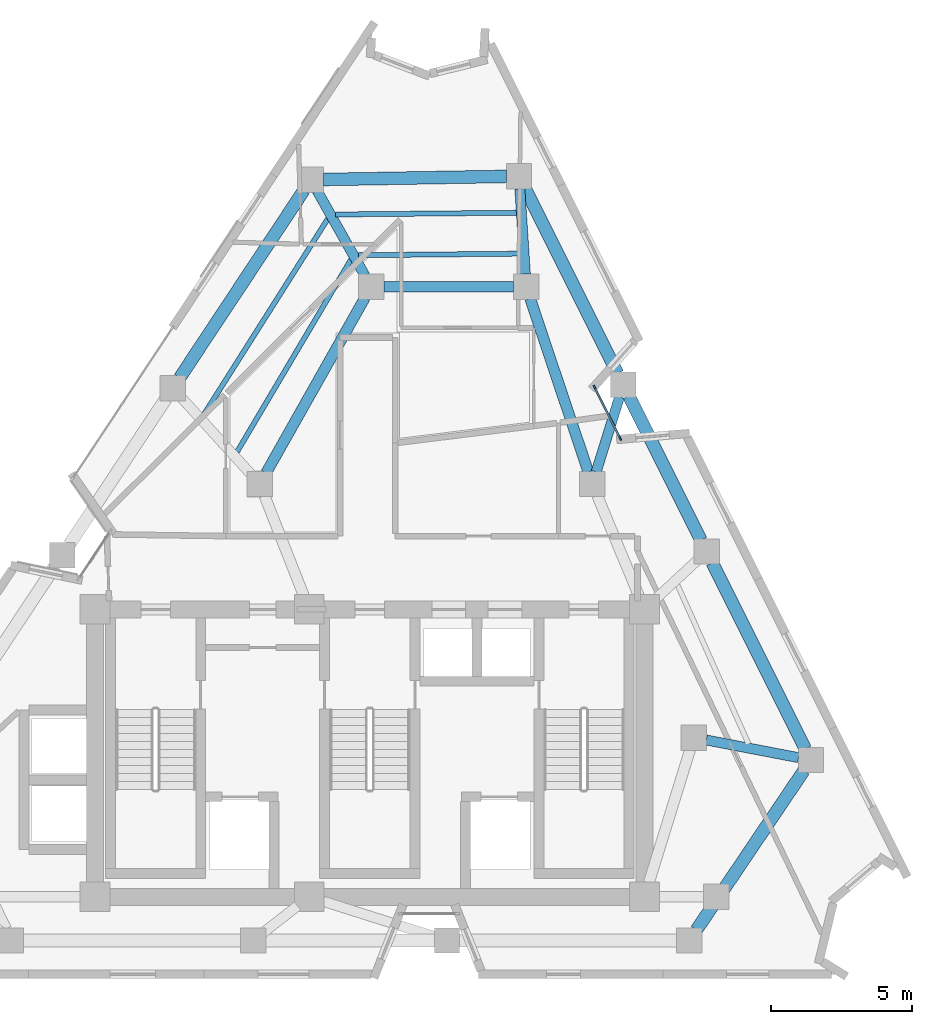
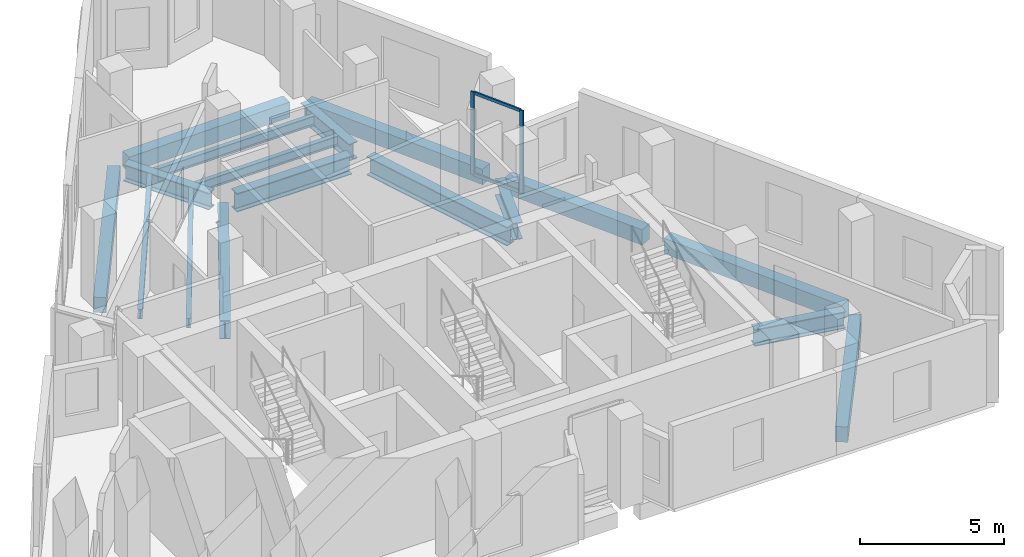
# One storey, part 3 of 8: 17 beams, 4 members, 1 element without a shape of its own.
"""IFC4 building model written with IfcOpenShell, lengths in metres."""

from ifc_helpers import new_model, si_unit, direction, frame, origin, origin_2d, place, context, subcontext, project, spatial, rectangle, i_section, extrude, material, layer, layer_set, material_profile, profile_set, type_object, element, aggregate, save


model = new_model("IFC4")

# Units and contexts
model_context = context("Model", 3, precision=1e-05, world=origin(), true_north=direction((0.0, 1.0)))
body_context = subcontext(model_context, "Body", "Model", "MODEL_VIEW")
ifc_project = project(units=[si_unit("LENGTHUNIT", "METRE"), si_unit("AREAUNIT", "SQUARE_METRE"), si_unit("VOLUMEUNIT", "CUBIC_METRE"), si_unit("PLANEANGLEUNIT", "RADIAN"), si_unit("MASSUNIT", "GRAM", prefix="KILO")], contexts=[model_context])

# Site, building, storey
site_placement = place(None, origin())
site = spatial("IfcSite", under=ifc_project, at=site_placement, CompositionType="ELEMENT")
building_placement = place(site_placement, origin())
building = spatial("IfcBuilding", under=site, at=building_placement, Name="Almagre Mirador Tower", CompositionType="ELEMENT")
storey_placement = place(building_placement, frame((0.0, 0.0, 263.25)))
storey = spatial("IfcBuildingStorey", under=building, at=storey_placement, Name="L68", CompositionType="ELEMENT", Elevation=263.25)

# Beams
ifc_material_1 = material(Name="Steel ASTM A992 Grade 50", Category="steel")
ifc_material_profile_1 = material_profile(ifc_material_1, i_section(OverallWidth=0.178955078125, OverallDepth=0.408935546875, WebThickness=0.0087890625, FlangeThickness=0.014404296875, FilletRadius=0.013916015625, at=origin_2d()), Name="W16X45")
ifc_profile_set_1 = profile_set([ifc_material_profile_1], Name="Steel ASTM A992 Grade 50")
beam_type_1 = type_object("IfcBeamType", Name="BM-JST-W16X45", PredefinedType="JOIST", material=ifc_profile_set_1)
beam_1_placement = place(storey_placement, frame((42.501708984375, 28.8251953125, -0.45458984375), z_axis=(-0.999953288653, -0.009665428698, 0.0), x_axis=(0.009665428698, -0.999953288653, 0.0)))
element("IfcBeam", 1, at=beam_1_placement, inside=storey, type_object=beam_type_1, Name="L68 secondary floor joist PC08-PC09.1", PredefinedType="JOIST", context=body_context, shape_type="SweptSolid", body=[
    extrude(i_section(OverallWidth=0.178955078125, OverallDepth=0.408935546875, WebThickness=0.0087890625, FlangeThickness=0.014404296875, FilletRadius=0.013916015625, at=origin_2d()), origin(), (0.0, 0.0, 1.0), 6.415771484375),
])
beam_2_placement = place(storey_placement, frame((42.59521484375, 27.373291015625, -0.45458984375), z_axis=(-0.99995095938, -0.009903475888, 0.0), x_axis=(0.009903475888, -0.99995095938, 0.0)))
element("IfcBeam", 2, at=beam_2_placement, inside=storey, type_object=beam_type_1, Name="L68 secondary floor joist PC08-PC09.3", PredefinedType="JOIST", context=body_context, shape_type="SweptSolid", body=[
    extrude(i_section(OverallWidth=0.178955078125, OverallDepth=0.408935546875, WebThickness=0.0087890625, FlangeThickness=0.014404296875, FilletRadius=0.013916015625, at=origin_2d()), origin(), (0.0, 0.0, 1.0), 5.694580078125),
])
beam_3_placement = place(storey_placement, frame((35.811279296875, 28.610107421875, -0.45458984375), z_axis=(-0.534950539194, -0.844883376932, 0.0), x_axis=(0.844883376932, -0.534950539194, 0.0)))
element("IfcBeam", 3, at=beam_3_placement, inside=storey, type_object=beam_type_1, Name="L68 secondary floor joist PC09-PC10.1", PredefinedType="JOIST", context=body_context, shape_type="SweptSolid", body=[
    extrude(i_section(OverallWidth=0.178955078125, OverallDepth=0.408935546875, WebThickness=0.0087890625, FlangeThickness=0.014404296875, FilletRadius=0.013916015625, at=origin_2d()), origin(), (0.0, 0.0, 1.0), 8.2373046875),
])
beam_4_placement = place(storey_placement, frame((36.630615234375, 27.1611328125, -0.45458984375), z_axis=(-0.509571838607, -0.860428115126, 0.0), x_axis=(0.860428115126, -0.509571838607, 0.0)))
element("IfcBeam", 4, at=beam_4_placement, inside=storey, type_object=beam_type_1, Name="L68 secondary floor joist PC09-PC10.3", PredefinedType="JOIST", context=body_context, shape_type="SweptSolid", body=[
    extrude(i_section(OverallWidth=0.178955078125, OverallDepth=0.408935546875, WebThickness=0.0087890625, FlangeThickness=0.014404296875, FilletRadius=0.013916015625, at=origin_2d()), origin(), (0.0, 0.0, 1.0), 7.925048828125),
])
ifc_material_2 = material(Name="Precast concrete C50/60", Category="concrete")
ifc_material_profile_2 = material_profile(ifc_material_2, rectangle(XDim=0.449951171875, YDim=0.64990234375, at=origin_2d()), Name="RC450X650")
ifc_profile_set_2 = profile_set([ifc_material_profile_2], Name="Precast concrete C50/60")
beam_type_2 = type_object("IfcBeamType", Name="BM-SPN-RC450X650", PredefinedType="SPANDREL", material=ifc_profile_set_2)
beam_5_placement = place(storey_placement, frame((48.8916015625, 3.373046875, -0.574951171875), z_axis=(0.559011807763, 0.829159694378, 0.0), x_axis=(-0.829159694378, 0.559011807763, 0.0)))
element("IfcBeam", 5, at=beam_5_placement, inside=storey, type_object=beam_type_2, Name="L68 perimeter spandrel beam PC04-PC05", PredefinedType="SPANDREL", context=body_context, shape_type="SweptSolid", body=[
    extrude(rectangle(XDim=0.449951171875, YDim=0.64990234375, at=origin_2d()), origin(), (0.0, 0.0, 1.0), 6.822265625),
])
beam_6_placement = place(storey_placement, frame((52.755859375, 9.805419921875, -0.574951171875), z_axis=(-0.447226839749, 0.894420568753, 0.0), x_axis=(-0.894420568753, -0.447226839749, 0.0)))
element("IfcBeam", 6, at=beam_6_placement, inside=storey, type_object=beam_type_2, Name="L68 perimeter spandrel beam PC05-PC06", PredefinedType="SPANDREL", context=body_context, shape_type="SweptSolid", body=[
    extrude(rectangle(XDim=0.449951171875, YDim=0.64990234375, at=origin_2d()), origin(), (0.0, 0.0, 1.0), 7.37353515625),
])
beam_7_placement = place(storey_placement, frame((49.055908203125, 17.20556640625, -0.574951171875), z_axis=(-0.447230671809, 0.894418652642, 0.0), x_axis=(-0.894418652642, -0.447230671809, 0.0)))
element("IfcBeam", 7, at=beam_7_placement, inside=storey, type_object=beam_type_2, Name="L68 perimeter spandrel beam PC06-PC07", PredefinedType="SPANDREL", context=body_context, shape_type="SweptSolid", body=[
    extrude(rectangle(XDim=0.449951171875, YDim=0.64990234375, at=origin_2d()), origin(), (0.0, 0.0, 1.0), 5.71875),
])
beam_8_placement = place(storey_placement, frame((46.095703125, 23.12548828125, -0.574951171875), z_axis=(-0.447226839749, 0.894420568753, 0.0), x_axis=(-0.894420568753, -0.447226839749, 0.0)))
element("IfcBeam", 8, at=beam_8_placement, inside=storey, type_object=beam_type_2, Name="L68 perimeter spandrel beam PC07-PC08", PredefinedType="SPANDREL", context=body_context, shape_type="SweptSolid", body=[
    extrude(rectangle(XDim=0.449951171875, YDim=0.64990234375, at=origin_2d()), origin(), (0.0, 0.0, 1.0), 7.37353515625),
])
beam_9_placement = place(storey_placement, frame((42.147216796875, 30.115234375, -0.574951171875), z_axis=(-0.999854670426, -0.017048109218, 0.0), x_axis=(0.017048109218, -0.999854670426, 0.0)))
element("IfcBeam", 9, at=beam_9_placement, inside=storey, type_object=beam_type_2, Name="L68 perimeter spandrel beam PC08-PC09", PredefinedType="SPANDREL", context=body_context, shape_type="SweptSolid", body=[
    extrude(rectangle(XDim=0.449951171875, YDim=0.64990234375, at=origin_2d()), origin(), (0.0, 0.0, 1.0), 6.4873046875),
])
beam_10_placement = place(storey_placement, frame((34.962646484375, 29.621826171875, -0.574951171875), z_axis=(-0.55211200974, -0.833769949507, 0.0), x_axis=(0.833769949507, -0.55211200974, 0.0)))
element("IfcBeam", 10, at=beam_10_placement, inside=storey, type_object=beam_type_2, Name="L68 perimeter spandrel beam PC09-PC10", PredefinedType="SPANDREL", context=body_context, shape_type="SweptSolid", body=[
    extrude(rectangle(XDim=0.449951171875, YDim=0.64990234375, at=origin_2d()), origin(), (0.0, 0.0, 1.0), 7.975341796875),
])
ifc_material_3 = material(Name="Steel ASTM A992 Grade 50", Category="steel")
ifc_material_profile_3 = material_profile(ifc_material_3, i_section(OverallWidth=0.35791015625, OverallDepth=0.7060546875, WebThickness=0.018310546875, FlangeThickness=0.0302734375, FilletRadius=0.02197265625, at=origin_2d()), Name="W27X178")
ifc_profile_set_3 = profile_set([ifc_material_profile_3], Name="Steel ASTM A992 Grade 50")
beam_type_3 = type_object("IfcBeamType", Name="BM-STL-W27X178", PredefinedType="BEAM", material=ifc_profile_set_3)
beam_11_placement = place(storey_placement, frame((52.514892578125, 9.48779296875, -0.60302734375), z_axis=(-0.982116013596, 0.188276753315, 0.0), x_axis=(-0.188276753315, -0.982116013596, 0.0)))
element("IfcBeam", 11, at=beam_11_placement, inside=storey, type_object=beam_type_3, Name="L68 radial floor girder PC05-MC3", PredefinedType="BEAM", context=body_context, shape_type="SweptSolid", body=[
    extrude(i_section(OverallWidth=0.35791015625, OverallDepth=0.7060546875, WebThickness=0.018310546875, FlangeThickness=0.0302734375, FilletRadius=0.02197265625, at=origin_2d()), origin(), (0.0, 0.0, 1.0), 3.33251953125),
])
beam_12_placement = place(storey_placement, frame((46.1630859375, 22.293212890625, -0.60302734375), z_axis=(-0.297288188683, -0.95478779468, 0.0), x_axis=(0.95478779468, -0.297288188683, 0.0)))
element("IfcBeam", 12, at=beam_12_placement, inside=storey, type_object=beam_type_3, Name="L68 radial floor girder PC07-MC5", PredefinedType="BEAM", context=body_context, shape_type="SweptSolid", body=[
    extrude(i_section(OverallWidth=0.35791015625, OverallDepth=0.7060546875, WebThickness=0.018310546875, FlangeThickness=0.0302734375, FilletRadius=0.02197265625, at=origin_2d()), origin(), (0.0, 0.0, 1.0), 2.789794921875),
])
beam_13_placement = place(storey_placement, frame((42.6259765625, 29.673828125, -0.60302734375), z_axis=(0.064358989598, -0.997926811173, 0.0), x_axis=(0.997926811173, 0.064358989598, 0.0)))
element("IfcBeam", 13, at=beam_13_placement, inside=storey, type_object=beam_type_3, Name="L68 radial floor girder PC08-MC6", PredefinedType="BEAM", context=body_context, shape_type="SweptSolid", body=[
    extrude(i_section(OverallWidth=0.35791015625, OverallDepth=0.7060546875, WebThickness=0.018310546875, FlangeThickness=0.0302734375, FilletRadius=0.02197265625, at=origin_2d()), origin(), (0.0, 0.0, 1.0), 3.031005859375),
])
beam_14_placement = place(storey_placement, frame((35.431884765625, 29.60498046875, -0.60302734375), z_axis=(0.490807503583, -0.871268038222, 0.0), x_axis=(0.871268038222, 0.490807503583, 0.0)))
element("IfcBeam", 14, at=beam_14_placement, inside=storey, type_object=beam_type_3, Name="L68 radial floor girder PC09-MC7", PredefinedType="BEAM", context=body_context, shape_type="SweptSolid", body=[
    extrude(i_section(OverallWidth=0.35791015625, OverallDepth=0.7060546875, WebThickness=0.018310546875, FlangeThickness=0.0302734375, FilletRadius=0.02197265625, at=origin_2d()), origin(), (0.0, 0.0, 1.0), 3.4580078125),
])
ifc_material_4 = material(Name="Steel ASTM A992 Grade 50", Category="steel")
ifc_material_profile_4 = material_profile(ifc_material_4, i_section(OverallWidth=0.384033203125, OverallDepth=0.784912109375, WebThickness=0.019775390625, FlangeThickness=0.033447265625, FilletRadius=0.02392578125, at=origin_2d()), Name="W30X211")
ifc_profile_set_4 = profile_set([ifc_material_profile_4], Name="Steel ASTM A992 Grade 50")
beam_type_4 = type_object("IfcBeamType", Name="BM-STL-W30X211", PredefinedType="BEAM", material=ifc_profile_set_4)
beam_15_placement = place(storey_placement, frame((37.800048828125, 26.199951171875, -0.642578125), z_axis=(1.0, 0.0, 0.0), x_axis=(0.0, 1.0, 0.0)))
element("IfcBeam", 15, at=beam_15_placement, inside=storey, type_object=beam_type_4, Name="L68 core tie girder MC7-MC6", PredefinedType="BEAM", context=body_context, shape_type="SweptSolid", body=[
    extrude(i_section(OverallWidth=0.384033203125, OverallDepth=0.784912109375, WebThickness=0.019775390625, FlangeThickness=0.033447265625, FilletRadius=0.02392578125, at=origin_2d()), origin(), (0.0, 0.0, 1.0), 4.599853515625),
])
beam_16_placement = place(storey_placement, frame((42.9931640625, 25.7734375, -0.642578125), z_axis=(0.318282890726, -0.947995781357, 0.0), x_axis=(0.947995781357, 0.318282890726, 0.0)))
element("IfcBeam", 16, at=beam_16_placement, inside=storey, type_object=beam_type_4, Name="L68 core tie girder MC6-MC5", PredefinedType="BEAM", context=body_context, shape_type="SweptSolid", body=[
    extrude(i_section(OverallWidth=0.384033203125, OverallDepth=0.784912109375, WebThickness=0.019775390625, FlangeThickness=0.033447265625, FilletRadius=0.02392578125, at=origin_2d()), origin(), (0.0, 0.0, 1.0), 6.48388671875),
])
beam_17_placement = place(storey_placement, frame((37.12890625, 25.80810546875, -0.642578125), z_axis=(-0.491446261843, -0.870907900825, 0.0), x_axis=(0.870907900825, -0.491446261843, 0.0)))
element("IfcBeam", 17, at=beam_17_placement, inside=storey, type_object=beam_type_4, Name="L68 core tie girder MC7-MC8", PredefinedType="BEAM", context=body_context, shape_type="SweptSolid", body=[
    extrude(i_section(OverallWidth=0.384033203125, OverallDepth=0.784912109375, WebThickness=0.019775390625, FlangeThickness=0.033447265625, FilletRadius=0.02392578125, at=origin_2d()), origin(), (0.0, 0.0, 1.0), 7.1376953125),
])

# Curtain wall, members
ifc_material_5 = material(Name="Black anodized aluminium", Category="aluminium")
ifc_layer = layer(ifc_material_5, 0.169921875)
ifc_layer_set = layer_set([ifc_layer], Name="Black anodized aluminium")
curtain_wall_type = type_object("IfcCurtainWallType", Name="CW-CRS-SYS", PredefinedType="NOTDEFINED", material=ifc_layer_set)
curtain_wall_placement = place(storey_placement, origin())
curtain_wall = element("IfcCurtainWall", 18, at=curtain_wall_placement, inside=storey, type_object=curtain_wall_type, Name="L68 vertical crease curtain wall 03", PredefinedType="NOTDEFINED")
ifc_material_6 = material(Name="Black anodized aluminium", Category="aluminium")
ifc_material_profile_5 = material_profile(ifc_material_6, rectangle(XDim=0.06005859375, YDim=0.14990234375, at=origin_2d()), Name="CWM60X150")
ifc_profile_set_5 = profile_set([ifc_material_profile_5], Name="Black anodized aluminium")
member_type_1 = type_object("IfcMemberType", Name="MBR-CWM60X150", PredefinedType="MULLION", material=ifc_profile_set_5)
member_1_placement = place(storey_placement, frame((45.279296875, 22.63427734375, 0.0), z_axis=(0.0, 0.0, 1.0), x_axis=(0.894427191001, 0.447213595499, 0.0)))
member_1 = element("IfcMember", 19, at=member_1_placement, type_object=member_type_1, Name="CW-4 mullion 1", PredefinedType="MULLION", context=body_context, shape_type="SweptSolid", body=[
    extrude(rectangle(XDim=0.06005859375, YDim=0.14990234375, at=origin_2d()), origin(), (0.0, 0.0, 1.0), 3.5),
])
member_2_placement = place(storey_placement, frame((46.1875, 20.81787109375, 0.0), z_axis=(0.0, 0.0, 1.0), x_axis=(0.894427191001, 0.447213595499, 0.0)))
member_2 = element("IfcMember", 20, at=member_2_placement, type_object=member_type_1, Name="CW-4 mullion 2", PredefinedType="MULLION", context=body_context, shape_type="SweptSolid", body=[
    extrude(rectangle(XDim=0.06005859375, YDim=0.14990234375, at=origin_2d()), origin(), (0.0, 0.0, 1.0), 3.5),
])
ifc_material_7 = material(Name="Black anodized aluminium", Category="aluminium")
ifc_material_profile_6 = material_profile(ifc_material_7, rectangle(XDim=0.06005859375, YDim=0.1298828125, at=origin_2d()), Name="CWT60X130")
ifc_profile_set_6 = profile_set([ifc_material_profile_6], Name="Black anodized aluminium")
member_type_2 = type_object("IfcMemberType", Name="MBR-CWT60X130", PredefinedType="USERDEFINED", material=ifc_profile_set_6)
member_3_placement = place(storey_placement, frame((45.292724609375, 22.607421875, 0.030029296875), z_axis=(0.4472135955, -0.894427191, 0.0), x_axis=(0.894427191, 0.4472135955, 0.0)))
member_3 = element("IfcMember", 21, at=member_3_placement, type_object=member_type_2, Name="CW-4 transom 1.1", ObjectType="TRANSOM", PredefinedType="USERDEFINED", context=body_context, shape_type="SweptSolid", body=[
    extrude(rectangle(XDim=0.06005859375, YDim=0.1298828125, at=origin_2d()), origin(), (0.0, 0.0, 1.0), 1.970703125),
])
member_4_placement = place(storey_placement, frame((45.292724609375, 22.607421875, 3.469970703125), z_axis=(0.4472135955, -0.894427191, 0.0), x_axis=(0.894427191, 0.4472135955, 0.0)))
member_4 = element("IfcMember", 22, at=member_4_placement, type_object=member_type_2, Name="CW-4 transom 1.2", ObjectType="TRANSOM", PredefinedType="USERDEFINED", context=body_context, shape_type="SweptSolid", body=[
    extrude(rectangle(XDim=0.06005859375, YDim=0.1298828125, at=origin_2d()), origin(), (0.0, 0.0, 1.0), 1.970703125),
])
aggregate(curtain_wall, [member_1, member_2, member_3, member_4])

save(model, "model.ifc")
